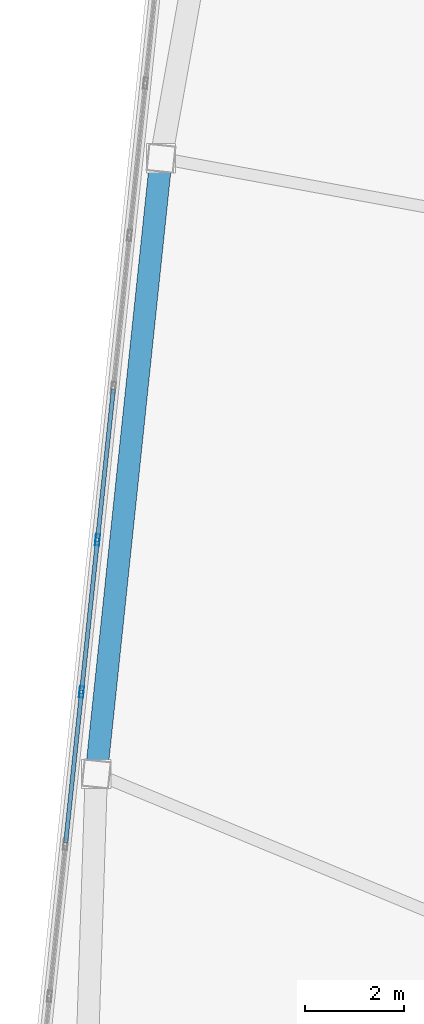
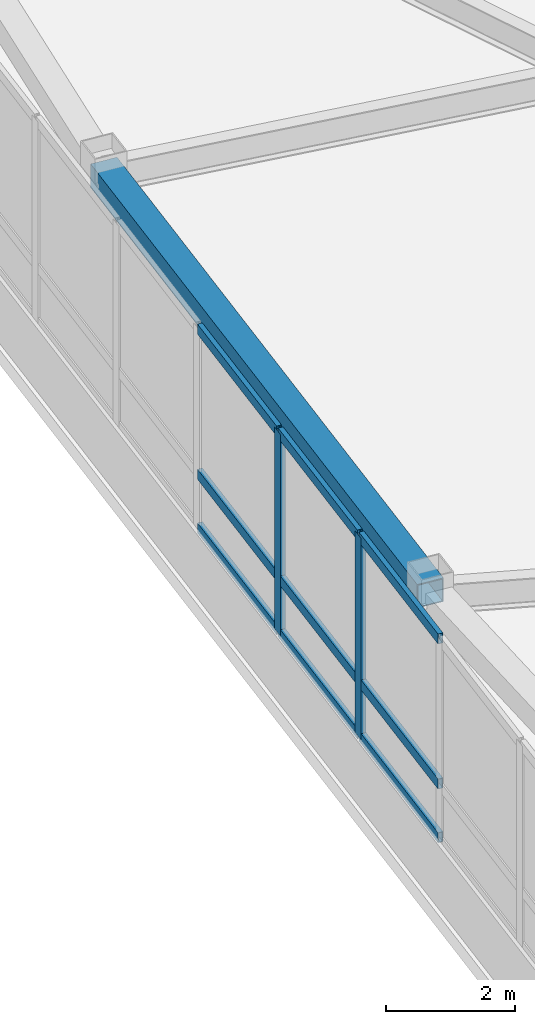
# One storey, part 6 of 23: 11 members, 1 beam, 1 element without a shape of its own.
"""IFC4 building model written with IfcOpenShell, lengths in metres."""

from ifc_helpers import new_model, si_unit, direction, frame, origin, origin_2d, place, context, subcontext, project, spatial, hollow_rectangle, extrude, material, layer, layer_set, material_profile, profile_set, type_object, element, aggregate, save


model = new_model("IFC4")

# Units and contexts
model_context = context("Model", 3, precision=1e-05, world=origin(), true_north=direction((0.0, 1.0)))
body_context = subcontext(model_context, "Body", "Model", "MODEL_VIEW")
ifc_project = project(units=[si_unit("LENGTHUNIT", "METRE"), si_unit("AREAUNIT", "SQUARE_METRE"), si_unit("VOLUMEUNIT", "CUBIC_METRE"), si_unit("PLANEANGLEUNIT", "RADIAN"), si_unit("MASSUNIT", "GRAM", prefix="KILO")], contexts=[model_context])

# Site, building, storey
site_placement = place(None, origin())
site = spatial("IfcSite", under=ifc_project, at=site_placement, CompositionType="ELEMENT")
building_placement = place(site_placement, origin())
building = spatial("IfcBuilding", under=site, at=building_placement, Name="Voryun Gate Residences", CompositionType="ELEMENT")
storey_placement = place(building_placement, frame((0.0, 0.0, 331.89990234375)))
storey = spatial("IfcBuildingStorey", under=building, at=storey_placement, Name="L81", CompositionType="ELEMENT", Elevation=331.89990234375)

# Beam
ifc_material_1 = material(Name="Steel SM355", Category="steel")
ifc_material_profile_1 = material_profile(ifc_material_1, hollow_rectangle(XDim=0.449951171875, YDim=0.449951171875, WallThickness=0.01806640625, at=origin_2d()), Name="BOX-450x450x18")
ifc_profile_set_1 = profile_set([ifc_material_profile_1], Name="Steel SM355")
beam_type = type_object("IfcBeamType", Name="BM_CROWN_RING", PredefinedType="BEAM", material=ifc_profile_set_1)
beam_placement = place(storey_placement, frame((-27.158203125, 8.861572265625, 4.800048828125), z_axis=(-0.104539303236, -0.994520755982, 0.0), x_axis=(0.994520755982, -0.104539303236, 0.0)))
element("IfcBeam", 1, at=beam_placement, inside=storey, type_object=beam_type, Name="BM-L81-SPAND-18", PredefinedType="BEAM", context=body_context, shape_type="SweptSolid", body=[
    extrude(hollow_rectangle(XDim=0.449951171875, YDim=0.449951171875, WallThickness=0.01806640625, at=origin_2d()), origin(), (0.0, 0.0, 1.0), 12.491943359375),
])

# Curtain wall, members
ifc_material_2 = material(Name="Anodised aluminium", Category="aluminium")
ifc_layer = layer(ifc_material_2, 0.22998046875, Name="CW_SYS_LANTERN_DARK_GLASS")
ifc_layer_set = layer_set([ifc_layer], Name="Anodised aluminium")
curtain_wall_type = type_object("IfcCurtainWallType", Name="CW_SYS_LANTERN_DARK_GLASS", PredefinedType="NOTDEFINED", material=ifc_layer_set)
curtain_wall_placement = place(storey_placement, origin())
curtain_wall = element("IfcCurtainWall", 2, at=curtain_wall_placement, inside=storey, type_object=curtain_wall_type, Name="Curtain wall CW6-L81-06", PredefinedType="NOTDEFINED")
ifc_material_3 = material(Name="Anodised aluminium", Category="aluminium")
ifc_material_profile_2 = material_profile(ifc_material_3, hollow_rectangle(XDim=0.0849609375, YDim=0.22998046875, WallThickness=0.006103515625, at=origin_2d()), Name="ALU-MULL-230x85x6")
ifc_profile_set_2 = profile_set([ifc_material_profile_2], Name="Anodised aluminium")
member_type_1 = type_object("IfcMemberType", Name="CW_MULL_LANT", PredefinedType="MULLION", material=ifc_profile_set_2)
member_1_placement = place(storey_placement, frame((-28.7626953125, -1.907470703125, 1.190185546875), z_axis=(0.0, 0.0, 1.0), x_axis=(-0.994521943608, 0.104528004296, 0.0)))
member_1 = element("IfcMember", 3, at=member_1_placement, type_object=member_type_1, Name="CW6 mullion 4", PredefinedType="MULLION", context=body_context, shape_type="SweptSolid", body=[
    extrude(hollow_rectangle(XDim=0.0849609375, YDim=0.22998046875, WallThickness=0.006103515625, at=origin_2d()), origin(), (0.0, 0.0, 1.0), 3.8349609375),
])
member_2_placement = place(storey_placement, frame((-28.43994140625, 1.163330078125, 1.190185546875), z_axis=(0.0, 0.0, 1.0), x_axis=(-0.994521943608, 0.104528004296, 0.0)))
member_2 = element("IfcMember", 4, at=member_2_placement, type_object=member_type_1, Name="CW6 mullion 5", PredefinedType="MULLION", context=body_context, shape_type="SweptSolid", body=[
    extrude(hollow_rectangle(XDim=0.0849609375, YDim=0.22998046875, WallThickness=0.006103515625, at=origin_2d()), origin(), (0.0, 0.0, 1.0), 3.8349609375),
])
ifc_material_4 = material(Name="Anodised aluminium", Category="aluminium")
ifc_material_profile_3 = material_profile(ifc_material_4, hollow_rectangle(XDim=0.0849609375, YDim=0.18994140625, WallThickness=0.006103515625, at=origin_2d()), Name="ALU-TRAN-190x85x6")
ifc_profile_set_3 = profile_set([ifc_material_profile_3], Name="Anodised aluminium")
member_type_2 = type_object("IfcMemberType", Name="CW_TRAN_LANT", PredefinedType="USERDEFINED", material=ifc_profile_set_3)
member_3_placement = place(storey_placement, frame((-29.082275390625, -4.948486328125, 1.22021484375), z_axis=(0.104500100479, 0.994524876009, 0.0), x_axis=(-0.994524876009, 0.104500100479, 0.0)))
member_3 = element("IfcMember", 5, at=member_3_placement, type_object=member_type_2, Name="CW6 transom 3.1", ObjectType="TRANSOM", PredefinedType="USERDEFINED", context=body_context, shape_type="SweptSolid", body=[
    extrude(hollow_rectangle(XDim=0.0849609375, YDim=0.18994140625, WallThickness=0.006103515625, at=origin_2d()), origin(), (0.0, 0.0, 1.0), 3.02783203125),
])
member_4_placement = place(storey_placement, frame((-29.082275390625, -4.948486328125, 2.239990234375), z_axis=(0.104500100479, 0.994524876009, 0.0), x_axis=(-0.994524876009, 0.104500100479, 0.0)))
member_4 = element("IfcMember", 6, at=member_4_placement, type_object=member_type_2, Name="CW6 transom 3.2", ObjectType="TRANSOM", PredefinedType="USERDEFINED", context=body_context, shape_type="SweptSolid", body=[
    extrude(hollow_rectangle(XDim=0.0849609375, YDim=0.18994140625, WallThickness=0.006103515625, at=origin_2d()), origin(), (0.0, 0.0, 1.0), 3.02783203125),
])
member_5_placement = place(storey_placement, frame((-29.082275390625, -4.948486328125, 4.9951171875), z_axis=(0.104500100479, 0.994524876009, 0.0), x_axis=(-0.994524876009, 0.104500100479, 0.0)))
member_5 = element("IfcMember", 7, at=member_5_placement, type_object=member_type_2, Name="CW6 transom 3.3", ObjectType="TRANSOM", PredefinedType="USERDEFINED", context=body_context, shape_type="SweptSolid", body=[
    extrude(hollow_rectangle(XDim=0.0849609375, YDim=0.18994140625, WallThickness=0.006103515625, at=origin_2d()), origin(), (0.0, 0.0, 1.0), 3.02783203125),
])
member_6_placement = place(storey_placement, frame((-28.759521484375, -1.877685546875, 1.22021484375), z_axis=(0.104500100479, 0.994524876009, 0.0), x_axis=(-0.994524876009, 0.104500100479, 0.0)))
member_6 = element("IfcMember", 8, at=member_6_placement, type_object=member_type_2, Name="CW6 transom 4.1", ObjectType="TRANSOM", PredefinedType="USERDEFINED", context=body_context, shape_type="SweptSolid", body=[
    extrude(hollow_rectangle(XDim=0.0849609375, YDim=0.18994140625, WallThickness=0.006103515625, at=origin_2d()), origin(), (0.0, 0.0, 1.0), 3.02783203125),
])
member_7_placement = place(storey_placement, frame((-28.759521484375, -1.877685546875, 2.239990234375), z_axis=(0.104500100479, 0.994524876009, 0.0), x_axis=(-0.994524876009, 0.104500100479, 0.0)))
member_7 = element("IfcMember", 9, at=member_7_placement, type_object=member_type_2, Name="CW6 transom 4.2", ObjectType="TRANSOM", PredefinedType="USERDEFINED", context=body_context, shape_type="SweptSolid", body=[
    extrude(hollow_rectangle(XDim=0.0849609375, YDim=0.18994140625, WallThickness=0.006103515625, at=origin_2d()), origin(), (0.0, 0.0, 1.0), 3.02783203125),
])
member_8_placement = place(storey_placement, frame((-28.759521484375, -1.877685546875, 4.9951171875), z_axis=(0.104500100479, 0.994524876009, 0.0), x_axis=(-0.994524876009, 0.104500100479, 0.0)))
member_8 = element("IfcMember", 10, at=member_8_placement, type_object=member_type_2, Name="CW6 transom 4.3", ObjectType="TRANSOM", PredefinedType="USERDEFINED", context=body_context, shape_type="SweptSolid", body=[
    extrude(hollow_rectangle(XDim=0.0849609375, YDim=0.18994140625, WallThickness=0.006103515625, at=origin_2d()), origin(), (0.0, 0.0, 1.0), 3.02783203125),
])
member_9_placement = place(storey_placement, frame((-28.436767578125, 1.193359375, 1.22021484375), z_axis=(0.104500100479, 0.994524876009, 0.0), x_axis=(-0.994524876009, 0.104500100479, 0.0)))
member_9 = element("IfcMember", 11, at=member_9_placement, type_object=member_type_2, Name="CW6 transom 5.1", ObjectType="TRANSOM", PredefinedType="USERDEFINED", context=body_context, shape_type="SweptSolid", body=[
    extrude(hollow_rectangle(XDim=0.0849609375, YDim=0.18994140625, WallThickness=0.006103515625, at=origin_2d()), origin(), (0.0, 0.0, 1.0), 3.02783203125),
])
member_10_placement = place(storey_placement, frame((-28.436767578125, 1.193359375, 2.239990234375), z_axis=(0.104500100479, 0.994524876009, 0.0), x_axis=(-0.994524876009, 0.104500100479, 0.0)))
member_10 = element("IfcMember", 12, at=member_10_placement, type_object=member_type_2, Name="CW6 transom 5.2", ObjectType="TRANSOM", PredefinedType="USERDEFINED", context=body_context, shape_type="SweptSolid", body=[
    extrude(hollow_rectangle(XDim=0.0849609375, YDim=0.18994140625, WallThickness=0.006103515625, at=origin_2d()), origin(), (0.0, 0.0, 1.0), 3.02783203125),
])
member_11_placement = place(storey_placement, frame((-28.436767578125, 1.193359375, 4.9951171875), z_axis=(0.104500100479, 0.994524876009, 0.0), x_axis=(-0.994524876009, 0.104500100479, 0.0)))
member_11 = element("IfcMember", 13, at=member_11_placement, type_object=member_type_2, Name="CW6 transom 5.3", ObjectType="TRANSOM", PredefinedType="USERDEFINED", context=body_context, shape_type="SweptSolid", body=[
    extrude(hollow_rectangle(XDim=0.0849609375, YDim=0.18994140625, WallThickness=0.006103515625, at=origin_2d()), origin(), (0.0, 0.0, 1.0), 3.02783203125),
])
aggregate(curtain_wall, [member_1, member_2, member_3, member_4, member_5, member_6, member_7, member_8, member_9, member_10, member_11])

save(model, "model.ifc")
